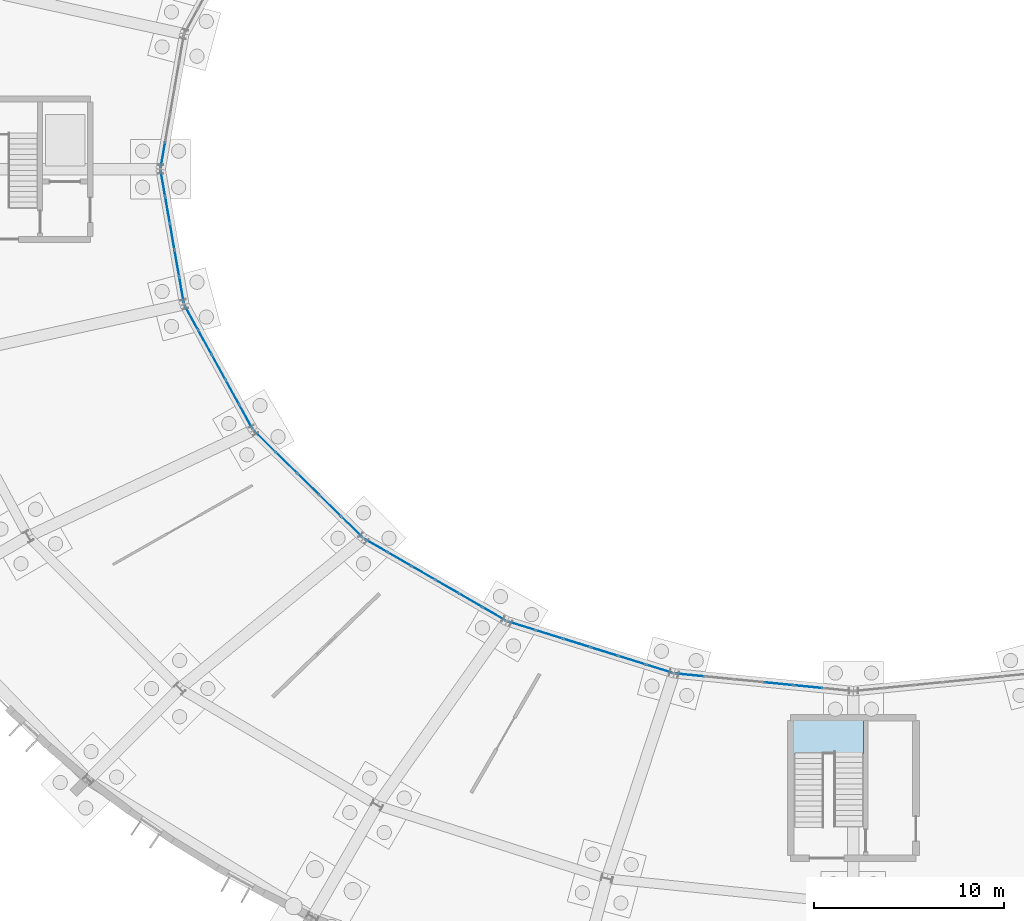
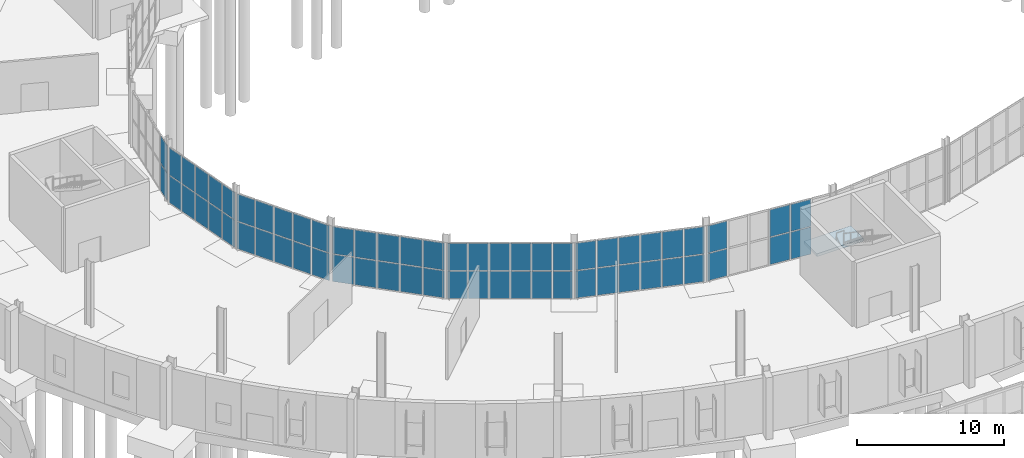
# One storey, part 72 of 118: 62 plates, 1 slab, 8 elements without a shape of their own.
"""IFC4 building model written with IfcOpenShell, lengths in metres."""

from ifc_helpers import new_model, si_unit, direction, frame, origin, origin_2d, place, context, subcontext, project, spatial, polyline, rectangle, outline, extrude, material, layer, layer_set, type_object, element, aggregate, save


model = new_model("IFC4")

# Units and contexts
model_context = context("Model", 3, precision=1e-05, world=origin(), true_north=direction((0.0, 1.0)))
body_context = subcontext(model_context, "Body", "Model", "MODEL_VIEW")
ifc_project = project(units=[si_unit("LENGTHUNIT", "METRE"), si_unit("AREAUNIT", "SQUARE_METRE"), si_unit("VOLUMEUNIT", "CUBIC_METRE"), si_unit("PLANEANGLEUNIT", "RADIAN"), si_unit("MASSUNIT", "GRAM", prefix="KILO")], contexts=[model_context])

# Site, building, storey
site_placement = place(None, origin())
site = spatial("IfcSite", under=ifc_project, at=site_placement, CompositionType="ELEMENT")
building_placement = place(site_placement, origin())
building = spatial("IfcBuilding", under=site, at=building_placement, Name="Kildeholm Park Wholesale Market", CompositionType="ELEMENT")
storey_placement = place(building_placement, origin())
storey = spatial("IfcBuildingStorey", under=building, at=storey_placement, Name="L00", CompositionType="ELEMENT", Elevation=0.0)

# Curtain wall, plates
ifc_material_1 = material(Name="Anodised aluminium and low-E double-glazed glass", Category="aluminium")
curtain_wall_type = type_object("IfcCurtainWallType", Name="Market hall glazed arcade stick curtain wall CW-01", PredefinedType="NOTDEFINED", material=ifc_material_1)
curtain_wall_1_placement = place(storey_placement, origin())
curtain_wall_1 = element("IfcCurtainWall", 1, at=curtain_wall_1_placement, inside=storey, type_object=curtain_wall_type, Name="Curtain wall CW-V1-IN0-11 CW-0056", PredefinedType="NOTDEFINED")
ifc_material_2 = material(Name="Double-glazed low-E insulated glass", Category="glass")
ifc_layer_1 = layer(ifc_material_2, 0.028076171875)
ifc_layer_set_1 = layer_set([ifc_layer_1], Name="Double-glazed low-E insulated glass")
plate_type = type_object("IfcPlateType", Name="Curtain-wall panel CWP-1 28 mm", PredefinedType="CURTAIN_PANEL", material=ifc_layer_set_1)
plate_1_placement = place(storey_placement, frame((62.625732421875, 90.260009765625, 0.06494140625), z_axis=(0.0, 0.0, 1.0), x_axis=(-0.172132515628, -0.985073802851, 0.0)))
plate_1 = element("IfcPlate", 2, at=plate_1_placement, type_object=plate_type, Name="CW-01 panel 5.1 PLT-0922", PredefinedType="CURTAIN_PANEL", context=body_context, shape_type="SweptSolid", body=[
    extrude(rectangle(XDim=1.33154296875, YDim=0.028076171875, at=origin_2d()), origin(), (0.0, 0.0, 1.0), 2.25244140625),
])
plate_2_placement = place(storey_placement, frame((62.625732421875, 90.260009765625, 2.382568359375), z_axis=(0.0, 0.0, 1.0), x_axis=(-0.172132515628, -0.985073802851, 0.0)))
plate_2 = element("IfcPlate", 3, at=plate_2_placement, type_object=plate_type, Name="CW-01 panel 5.2 PLT-0923", PredefinedType="CURTAIN_PANEL", context=body_context, shape_type="SweptSolid", body=[
    extrude(rectangle(XDim=1.33154296875, YDim=0.028076171875, at=origin_2d()), origin(), (0.0, 0.0, 1.0), 2.25244140625),
])
aggregate(curtain_wall_1, [plate_1, plate_2])

curtain_wall_2_placement = place(storey_placement, origin())
curtain_wall_2 = element("IfcCurtainWall", 4, at=curtain_wall_2_placement, inside=storey, type_object=curtain_wall_type, Name="Curtain wall CW-V1-IN0-12 CW-0061", PredefinedType="NOTDEFINED")
plate_3_placement = place(storey_placement, frame((62.625732421875, 88.739990234375, 0.06494140625), z_axis=(0.0, 0.0, 1.0), x_axis=(0.172132515628, -0.985073802851, 0.0)))
plate_3 = element("IfcPlate", 5, at=plate_3_placement, type_object=plate_type, Name="CW-01 panel 1.1 PLT-0974", PredefinedType="CURTAIN_PANEL", context=body_context, shape_type="SweptSolid", body=[
    extrude(rectangle(XDim=1.33154296875, YDim=0.028076171875, at=origin_2d()), origin(), (0.0, 0.0, 1.0), 2.25244140625),
])
plate_4_placement = place(storey_placement, frame((62.625732421875, 88.739990234375, 2.382568359375), z_axis=(0.0, 0.0, 1.0), x_axis=(0.172132515628, -0.985073802851, 0.0)))
plate_4 = element("IfcPlate", 6, at=plate_4_placement, type_object=plate_type, Name="CW-01 panel 1.2 PLT-0975", PredefinedType="CURTAIN_PANEL", context=body_context, shape_type="SweptSolid", body=[
    extrude(rectangle(XDim=1.33154296875, YDim=0.028076171875, at=origin_2d()), origin(), (0.0, 0.0, 1.0), 2.25244140625),
])
plate_5_placement = place(storey_placement, frame((62.868896484375, 87.348388671875, 0.06494140625), z_axis=(0.0, 0.0, 1.0), x_axis=(0.172132515628, -0.985073802851, 0.0)))
plate_5 = element("IfcPlate", 7, at=plate_5_placement, type_object=plate_type, Name="CW-01 panel 2.1 PLT-0976", PredefinedType="CURTAIN_PANEL", context=body_context, shape_type="SweptSolid", body=[
    extrude(rectangle(XDim=1.364013671875, YDim=0.028076171875, at=origin_2d()), origin(), (0.0, 0.0, 1.0), 2.25244140625),
])
plate_6_placement = place(storey_placement, frame((62.868896484375, 87.348388671875, 2.382568359375), z_axis=(0.0, 0.0, 1.0), x_axis=(0.172132515628, -0.985073802851, 0.0)))
plate_6 = element("IfcPlate", 8, at=plate_6_placement, type_object=plate_type, Name="CW-01 panel 2.2 PLT-0977", PredefinedType="CURTAIN_PANEL", context=body_context, shape_type="SweptSolid", body=[
    extrude(rectangle(XDim=1.364013671875, YDim=0.028076171875, at=origin_2d()), origin(), (0.0, 0.0, 1.0), 2.25244140625),
])
plate_7_placement = place(storey_placement, frame((63.114990234375, 85.9404296875, 0.06494140625), z_axis=(0.0, 0.0, 1.0), x_axis=(0.172132515628, -0.985073802851, 0.0)))
plate_7 = element("IfcPlate", 9, at=plate_7_placement, type_object=plate_type, Name="CW-01 panel 3.1 PLT-0978", PredefinedType="CURTAIN_PANEL", context=body_context, shape_type="SweptSolid", body=[
    extrude(rectangle(XDim=1.364013671875, YDim=0.028076171875, at=origin_2d()), origin(), (0.0, 0.0, 1.0), 2.25244140625),
])
plate_8_placement = place(storey_placement, frame((63.114990234375, 85.9404296875, 2.382568359375), z_axis=(0.0, 0.0, 1.0), x_axis=(0.172132515628, -0.985073802851, 0.0)))
plate_8 = element("IfcPlate", 10, at=plate_8_placement, type_object=plate_type, Name="CW-01 panel 3.2 PLT-0979", PredefinedType="CURTAIN_PANEL", context=body_context, shape_type="SweptSolid", body=[
    extrude(rectangle(XDim=1.364013671875, YDim=0.028076171875, at=origin_2d()), origin(), (0.0, 0.0, 1.0), 2.25244140625),
])
plate_9_placement = place(storey_placement, frame((63.361083984375, 84.53271484375, 0.06494140625), z_axis=(0.0, 0.0, 1.0), x_axis=(0.172132515628, -0.985073802851, 0.0)))
plate_9 = element("IfcPlate", 11, at=plate_9_placement, type_object=plate_type, Name="CW-01 panel 4.1 PLT-0980", PredefinedType="CURTAIN_PANEL", context=body_context, shape_type="SweptSolid", body=[
    extrude(rectangle(XDim=1.364013671875, YDim=0.028076171875, at=origin_2d()), origin(), (0.0, 0.0, 1.0), 2.25244140625),
])
plate_10_placement = place(storey_placement, frame((63.361083984375, 84.53271484375, 2.382568359375), z_axis=(0.0, 0.0, 1.0), x_axis=(0.172132515628, -0.985073802851, 0.0)))
plate_10 = element("IfcPlate", 12, at=plate_10_placement, type_object=plate_type, Name="CW-01 panel 4.2 PLT-0981", PredefinedType="CURTAIN_PANEL", context=body_context, shape_type="SweptSolid", body=[
    extrude(rectangle(XDim=1.364013671875, YDim=0.028076171875, at=origin_2d()), origin(), (0.0, 0.0, 1.0), 2.25244140625),
])
plate_11_placement = place(storey_placement, frame((63.604248046875, 83.140869140625, 0.06494140625), z_axis=(0.0, 0.0, 1.0), x_axis=(0.172132515628, -0.985073802851, 0.0)))
plate_11 = element("IfcPlate", 13, at=plate_11_placement, type_object=plate_type, Name="CW-01 panel 5.1 PLT-0982", PredefinedType="CURTAIN_PANEL", context=body_context, shape_type="SweptSolid", body=[
    extrude(rectangle(XDim=1.33154296875, YDim=0.028076171875, at=origin_2d()), origin(), (0.0, 0.0, 1.0), 2.25244140625),
])
plate_12_placement = place(storey_placement, frame((63.604248046875, 83.140869140625, 2.382568359375), z_axis=(0.0, 0.0, 1.0), x_axis=(0.172132515628, -0.985073802851, 0.0)))
plate_12 = element("IfcPlate", 14, at=plate_12_placement, type_object=plate_type, Name="CW-01 panel 5.2 PLT-0983", PredefinedType="CURTAIN_PANEL", context=body_context, shape_type="SweptSolid", body=[
    extrude(rectangle(XDim=1.33154296875, YDim=0.028076171875, at=origin_2d()), origin(), (0.0, 0.0, 1.0), 2.25244140625),
])
aggregate(curtain_wall_2, [plate_3, plate_4, plate_5, plate_6, plate_7, plate_8, plate_9, plate_10, plate_11, plate_12])

curtain_wall_3_placement = place(storey_placement, origin())
curtain_wall_3 = element("IfcCurtainWall", 15, at=curtain_wall_3_placement, inside=storey, type_object=curtain_wall_type, Name="Curtain wall CW-V1-IN0-13 CW-0066", PredefinedType="NOTDEFINED")
plate_13_placement = place(storey_placement, frame((64.125732421875, 81.675537109375, 0.06494140625), z_axis=(0.0, 0.0, 1.0), x_axis=(0.481749595055, -0.876308922506, 0.0)))
plate_13 = element("IfcPlate", 16, at=plate_13_placement, type_object=plate_type, Name="CW-01 panel 1.1 PLT-1034", PredefinedType="CURTAIN_PANEL", context=body_context, shape_type="SweptSolid", body=[
    extrude(rectangle(XDim=1.400390625, YDim=0.028076171875, at=origin_2d()), origin(), (0.0, 0.0, 1.0), 2.25244140625),
])
plate_14_placement = place(storey_placement, frame((64.125732421875, 81.675537109375, 2.382568359375), z_axis=(0.0, 0.0, 1.0), x_axis=(0.481749595055, -0.876308922506, 0.0)))
plate_14 = element("IfcPlate", 17, at=plate_14_placement, type_object=plate_type, Name="CW-01 panel 1.2 PLT-1035", PredefinedType="CURTAIN_PANEL", context=body_context, shape_type="SweptSolid", body=[
    extrude(rectangle(XDim=1.400390625, YDim=0.028076171875, at=origin_2d()), origin(), (0.0, 0.0, 1.0), 2.25244140625),
])
plate_15_placement = place(storey_placement, frame((64.83935546875, 80.377197265625, 0.06494140625), z_axis=(0.0, 0.0, 1.0), x_axis=(0.481749595055, -0.876308922506, 0.0)))
plate_15 = element("IfcPlate", 18, at=plate_15_placement, type_object=plate_type, Name="CW-01 panel 2.1 PLT-1036", PredefinedType="CURTAIN_PANEL", context=body_context, shape_type="SweptSolid", body=[
    extrude(rectangle(XDim=1.432861328125, YDim=0.028076171875, at=origin_2d()), origin(), (0.0, 0.0, 1.0), 2.25244140625),
])
plate_16_placement = place(storey_placement, frame((64.83935546875, 80.377197265625, 2.382568359375), z_axis=(0.0, 0.0, 1.0), x_axis=(0.481749595055, -0.876308922506, 0.0)))
plate_16 = element("IfcPlate", 19, at=plate_16_placement, type_object=plate_type, Name="CW-01 panel 2.2 PLT-1037", PredefinedType="CURTAIN_PANEL", context=body_context, shape_type="SweptSolid", body=[
    extrude(rectangle(XDim=1.432861328125, YDim=0.028076171875, at=origin_2d()), origin(), (0.0, 0.0, 1.0), 2.25244140625),
])
plate_17_placement = place(storey_placement, frame((65.56103515625, 79.064453125, 0.06494140625), z_axis=(0.0, 0.0, 1.0), x_axis=(0.481749595055, -0.876308922506, 0.0)))
plate_17 = element("IfcPlate", 20, at=plate_17_placement, type_object=plate_type, Name="CW-01 panel 3.1 PLT-1038", PredefinedType="CURTAIN_PANEL", context=body_context, shape_type="SweptSolid", body=[
    extrude(rectangle(XDim=1.432861328125, YDim=0.028076171875, at=origin_2d()), origin(), (0.0, 0.0, 1.0), 2.25244140625),
])
plate_18_placement = place(storey_placement, frame((65.56103515625, 79.064453125, 2.382568359375), z_axis=(0.0, 0.0, 1.0), x_axis=(0.481749595055, -0.876308922506, 0.0)))
plate_18 = element("IfcPlate", 21, at=plate_18_placement, type_object=plate_type, Name="CW-01 panel 3.2 PLT-1039", PredefinedType="CURTAIN_PANEL", context=body_context, shape_type="SweptSolid", body=[
    extrude(rectangle(XDim=1.432861328125, YDim=0.028076171875, at=origin_2d()), origin(), (0.0, 0.0, 1.0), 2.25244140625),
])
plate_19_placement = place(storey_placement, frame((66.28271484375, 77.751953125, 0.06494140625), z_axis=(0.0, 0.0, 1.0), x_axis=(0.481749595055, -0.876308922506, 0.0)))
plate_19 = element("IfcPlate", 22, at=plate_19_placement, type_object=plate_type, Name="CW-01 panel 4.1 PLT-1040", PredefinedType="CURTAIN_PANEL", context=body_context, shape_type="SweptSolid", body=[
    extrude(rectangle(XDim=1.432861328125, YDim=0.028076171875, at=origin_2d()), origin(), (0.0, 0.0, 1.0), 2.25244140625),
])
plate_20_placement = place(storey_placement, frame((66.28271484375, 77.751953125, 2.382568359375), z_axis=(0.0, 0.0, 1.0), x_axis=(0.481749595055, -0.876308922506, 0.0)))
plate_20 = element("IfcPlate", 23, at=plate_20_placement, type_object=plate_type, Name="CW-01 panel 4.2 PLT-1041", PredefinedType="CURTAIN_PANEL", context=body_context, shape_type="SweptSolid", body=[
    extrude(rectangle(XDim=1.432861328125, YDim=0.028076171875, at=origin_2d()), origin(), (0.0, 0.0, 1.0), 2.25244140625),
])
plate_21_placement = place(storey_placement, frame((66.996337890625, 76.45361328125, 0.06494140625), z_axis=(0.0, 0.0, 1.0), x_axis=(0.481749595055, -0.876308922506, 0.0)))
plate_21 = element("IfcPlate", 24, at=plate_21_placement, type_object=plate_type, Name="CW-01 panel 5.1 PLT-1042", PredefinedType="CURTAIN_PANEL", context=body_context, shape_type="SweptSolid", body=[
    extrude(rectangle(XDim=1.400390625, YDim=0.028076171875, at=origin_2d()), origin(), (0.0, 0.0, 1.0), 2.25244140625),
])
plate_22_placement = place(storey_placement, frame((66.996337890625, 76.45361328125, 2.382568359375), z_axis=(0.0, 0.0, 1.0), x_axis=(0.481749595055, -0.876308922506, 0.0)))
plate_22 = element("IfcPlate", 25, at=plate_22_placement, type_object=plate_type, Name="CW-01 panel 5.2 PLT-1043", PredefinedType="CURTAIN_PANEL", context=body_context, shape_type="SweptSolid", body=[
    extrude(rectangle(XDim=1.400390625, YDim=0.028076171875, at=origin_2d()), origin(), (0.0, 0.0, 1.0), 2.25244140625),
])
aggregate(curtain_wall_3, [plate_13, plate_14, plate_15, plate_16, plate_17, plate_18, plate_19, plate_20, plate_21, plate_22])

curtain_wall_4_placement = place(storey_placement, origin())
curtain_wall_4 = element("IfcCurtainWall", 26, at=curtain_wall_4_placement, inside=storey, type_object=curtain_wall_type, Name="Curtain wall CW-V1-IN0-14 CW-0071", PredefinedType="NOTDEFINED")
plate_23_placement = place(storey_placement, frame((68.0, 75.143798828125, 0.06494140625), z_axis=(0.0, 0.0, 1.0), x_axis=(0.713537995789, -0.700616534607, 0.0)))
plate_23 = element("IfcPlate", 27, at=plate_23_placement, type_object=plate_type, Name="CW-01 panel 1.1 PLT-1096", PredefinedType="CURTAIN_PANEL", context=body_context, shape_type="SweptSolid", body=[
    extrude(rectangle(XDim=1.51220703125, YDim=0.028076171875, at=origin_2d()), origin(), (0.0, 0.0, 1.0), 2.25244140625),
])
plate_24_placement = place(storey_placement, frame((68.0, 75.143798828125, 2.382568359375), z_axis=(0.0, 0.0, 1.0), x_axis=(0.713537995789, -0.700616534607, 0.0)))
plate_24 = element("IfcPlate", 28, at=plate_24_placement, type_object=plate_type, Name="CW-01 panel 1.2 PLT-1097", PredefinedType="CURTAIN_PANEL", context=body_context, shape_type="SweptSolid", body=[
    extrude(rectangle(XDim=1.51220703125, YDim=0.028076171875, at=origin_2d()), origin(), (0.0, 0.0, 1.0), 2.25244140625),
])
plate_25_placement = place(storey_placement, frame((69.136962890625, 74.02734375, 0.06494140625), z_axis=(0.0, 0.0, 1.0), x_axis=(0.713537995789, -0.700616534607, 0.0)))
plate_25 = element("IfcPlate", 29, at=plate_25_placement, type_object=plate_type, Name="CW-01 panel 2.1 PLT-1098", PredefinedType="CURTAIN_PANEL", context=body_context, shape_type="SweptSolid", body=[
    extrude(rectangle(XDim=1.544677734375, YDim=0.028076171875, at=origin_2d()), origin(), (0.0, 0.0, 1.0), 2.25244140625),
])
plate_26_placement = place(storey_placement, frame((69.136962890625, 74.02734375, 2.382568359375), z_axis=(0.0, 0.0, 1.0), x_axis=(0.713537995789, -0.700616534607, 0.0)))
plate_26 = element("IfcPlate", 30, at=plate_26_placement, type_object=plate_type, Name="CW-01 panel 2.2 PLT-1099", PredefinedType="CURTAIN_PANEL", context=body_context, shape_type="SweptSolid", body=[
    extrude(rectangle(XDim=1.544677734375, YDim=0.028076171875, at=origin_2d()), origin(), (0.0, 0.0, 1.0), 2.25244140625),
])
plate_27_placement = place(storey_placement, frame((70.285400390625, 72.8994140625, 0.06494140625), z_axis=(0.0, 0.0, 1.0), x_axis=(0.713537995789, -0.700616534607, 0.0)))
plate_27 = element("IfcPlate", 31, at=plate_27_placement, type_object=plate_type, Name="CW-01 panel 3.1 PLT-1100", PredefinedType="CURTAIN_PANEL", context=body_context, shape_type="SweptSolid", body=[
    extrude(rectangle(XDim=1.544677734375, YDim=0.028076171875, at=origin_2d()), origin(), (0.0, 0.0, 1.0), 2.25244140625),
])
plate_28_placement = place(storey_placement, frame((70.285400390625, 72.8994140625, 2.382568359375), z_axis=(0.0, 0.0, 1.0), x_axis=(0.713537995789, -0.700616534607, 0.0)))
plate_28 = element("IfcPlate", 32, at=plate_28_placement, type_object=plate_type, Name="CW-01 panel 3.2 PLT-1101", PredefinedType="CURTAIN_PANEL", context=body_context, shape_type="SweptSolid", body=[
    extrude(rectangle(XDim=1.544677734375, YDim=0.028076171875, at=origin_2d()), origin(), (0.0, 0.0, 1.0), 2.25244140625),
])
plate_29_placement = place(storey_placement, frame((71.43408203125, 71.771728515625, 0.06494140625), z_axis=(0.0, 0.0, 1.0), x_axis=(0.713537995789, -0.700616534607, 0.0)))
plate_29 = element("IfcPlate", 33, at=plate_29_placement, type_object=plate_type, Name="CW-01 panel 4.1 PLT-1102", PredefinedType="CURTAIN_PANEL", context=body_context, shape_type="SweptSolid", body=[
    extrude(rectangle(XDim=1.544677734375, YDim=0.028076171875, at=origin_2d()), origin(), (0.0, 0.0, 1.0), 2.25244140625),
])
plate_30_placement = place(storey_placement, frame((71.43408203125, 71.771728515625, 2.382568359375), z_axis=(0.0, 0.0, 1.0), x_axis=(0.713537995789, -0.700616534607, 0.0)))
plate_30 = element("IfcPlate", 34, at=plate_30_placement, type_object=plate_type, Name="CW-01 panel 4.2 PLT-1103", PredefinedType="CURTAIN_PANEL", context=body_context, shape_type="SweptSolid", body=[
    extrude(rectangle(XDim=1.544677734375, YDim=0.028076171875, at=origin_2d()), origin(), (0.0, 0.0, 1.0), 2.25244140625),
])
plate_31_placement = place(storey_placement, frame((72.571044921875, 70.6552734375, 0.06494140625), z_axis=(0.0, 0.0, 1.0), x_axis=(0.713537995789, -0.700616534607, 0.0)))
plate_31 = element("IfcPlate", 35, at=plate_31_placement, type_object=plate_type, Name="CW-01 panel 5.1 PLT-1104", PredefinedType="CURTAIN_PANEL", context=body_context, shape_type="SweptSolid", body=[
    extrude(rectangle(XDim=1.51220703125, YDim=0.028076171875, at=origin_2d()), origin(), (0.0, 0.0, 1.0), 2.25244140625),
])
plate_32_placement = place(storey_placement, frame((72.571044921875, 70.6552734375, 2.382568359375), z_axis=(0.0, 0.0, 1.0), x_axis=(0.713537995789, -0.700616534607, 0.0)))
plate_32 = element("IfcPlate", 36, at=plate_32_placement, type_object=plate_type, Name="CW-01 panel 5.2 PLT-1105", PredefinedType="CURTAIN_PANEL", context=body_context, shape_type="SweptSolid", body=[
    extrude(rectangle(XDim=1.51220703125, YDim=0.028076171875, at=origin_2d()), origin(), (0.0, 0.0, 1.0), 2.25244140625),
])
aggregate(curtain_wall_4, [plate_23, plate_24, plate_25, plate_26, plate_27, plate_28, plate_29, plate_30, plate_31, plate_32])

curtain_wall_5_placement = place(storey_placement, origin())
curtain_wall_5 = element("IfcCurtainWall", 37, at=curtain_wall_5_placement, inside=storey, type_object=curtain_wall_type, Name="Curtain wall CW-V1-IN0-15 CW-0076", PredefinedType="NOTDEFINED")
plate_33_placement = place(storey_placement, frame((73.8603515625, 69.662109375, 0.06494140625), z_axis=(0.0, 0.0, 1.0), x_axis=(0.865742656621, -0.500489412982, 0.0)))
plate_33 = element("IfcPlate", 38, at=plate_33_placement, type_object=plate_type, Name="CW-01 panel 1.1 PLT-1160", PredefinedType="CURTAIN_PANEL", context=body_context, shape_type="SweptSolid", body=[
    extrude(rectangle(XDim=1.344482421875, YDim=0.028076171875, at=origin_2d()), origin(), (0.0, 0.0, 1.0), 2.25244140625),
])
plate_34_placement = place(storey_placement, frame((73.8603515625, 69.662109375, 2.382568359375), z_axis=(0.0, 0.0, 1.0), x_axis=(0.865742656621, -0.500489412982, 0.0)))
plate_34 = element("IfcPlate", 39, at=plate_34_placement, type_object=plate_type, Name="CW-01 panel 1.2 PLT-1161", PredefinedType="CURTAIN_PANEL", context=body_context, shape_type="SweptSolid", body=[
    extrude(rectangle(XDim=1.344482421875, YDim=0.028076171875, at=origin_2d()), origin(), (0.0, 0.0, 1.0), 2.25244140625),
])
plate_35_placement = place(storey_placement, frame((75.094482421875, 68.948486328125, 0.06494140625), z_axis=(0.0, 0.0, 1.0), x_axis=(0.865742656621, -0.500489412982, 0.0)))
plate_35 = element("IfcPlate", 40, at=plate_35_placement, type_object=plate_type, Name="CW-01 panel 2.1 PLT-1162", PredefinedType="CURTAIN_PANEL", context=body_context, shape_type="SweptSolid", body=[
    extrude(rectangle(XDim=1.376953125, YDim=0.028076171875, at=origin_2d()), origin(), (0.0, 0.0, 1.0), 2.25244140625),
])
plate_36_placement = place(storey_placement, frame((75.094482421875, 68.948486328125, 2.382568359375), z_axis=(0.0, 0.0, 1.0), x_axis=(0.865742656621, -0.500489412982, 0.0)))
plate_36 = element("IfcPlate", 41, at=plate_36_placement, type_object=plate_type, Name="CW-01 panel 2.2 PLT-1163", PredefinedType="CURTAIN_PANEL", context=body_context, shape_type="SweptSolid", body=[
    extrude(rectangle(XDim=1.376953125, YDim=0.028076171875, at=origin_2d()), origin(), (0.0, 0.0, 1.0), 2.25244140625),
])
plate_37_placement = place(storey_placement, frame((76.3427734375, 68.226806640625, 0.06494140625), z_axis=(0.0, 0.0, 1.0), x_axis=(0.865742656621, -0.500489412982, 0.0)))
plate_37 = element("IfcPlate", 42, at=plate_37_placement, type_object=plate_type, Name="CW-01 panel 3.1 PLT-1164", PredefinedType="CURTAIN_PANEL", context=body_context, shape_type="SweptSolid", body=[
    extrude(rectangle(XDim=1.376953125, YDim=0.028076171875, at=origin_2d()), origin(), (0.0, 0.0, 1.0), 2.25244140625),
])
plate_38_placement = place(storey_placement, frame((76.3427734375, 68.226806640625, 2.382568359375), z_axis=(0.0, 0.0, 1.0), x_axis=(0.865742656621, -0.500489412982, 0.0)))
plate_38 = element("IfcPlate", 43, at=plate_38_placement, type_object=plate_type, Name="CW-01 panel 3.2 PLT-1165", PredefinedType="CURTAIN_PANEL", context=body_context, shape_type="SweptSolid", body=[
    extrude(rectangle(XDim=1.376953125, YDim=0.028076171875, at=origin_2d()), origin(), (0.0, 0.0, 1.0), 2.25244140625),
])
plate_39_placement = place(storey_placement, frame((77.591064453125, 67.505126953125, 0.06494140625), z_axis=(0.0, 0.0, 1.0), x_axis=(0.865742656621, -0.500489412982, 0.0)))
plate_39 = element("IfcPlate", 44, at=plate_39_placement, type_object=plate_type, Name="CW-01 panel 4.1 PLT-1166", PredefinedType="CURTAIN_PANEL", context=body_context, shape_type="SweptSolid", body=[
    extrude(rectangle(XDim=1.376953125, YDim=0.028076171875, at=origin_2d()), origin(), (0.0, 0.0, 1.0), 2.25244140625),
])
plate_40_placement = place(storey_placement, frame((77.591064453125, 67.505126953125, 2.382568359375), z_axis=(0.0, 0.0, 1.0), x_axis=(0.865742656621, -0.500489412982, 0.0)))
plate_40 = element("IfcPlate", 45, at=plate_40_placement, type_object=plate_type, Name="CW-01 panel 4.2 PLT-1167", PredefinedType="CURTAIN_PANEL", context=body_context, shape_type="SweptSolid", body=[
    extrude(rectangle(XDim=1.376953125, YDim=0.028076171875, at=origin_2d()), origin(), (0.0, 0.0, 1.0), 2.25244140625),
])
plate_41_placement = place(storey_placement, frame((78.839599609375, 66.783447265625, 0.06494140625), z_axis=(0.0, 0.0, 1.0), x_axis=(0.865742656621, -0.500489412982, 0.0)))
plate_41 = element("IfcPlate", 46, at=plate_41_placement, type_object=plate_type, Name="CW-01 panel 5.1 PLT-1168", PredefinedType="CURTAIN_PANEL", context=body_context, shape_type="SweptSolid", body=[
    extrude(rectangle(XDim=1.376953125, YDim=0.028076171875, at=origin_2d()), origin(), (0.0, 0.0, 1.0), 2.25244140625),
])
plate_42_placement = place(storey_placement, frame((78.839599609375, 66.783447265625, 2.382568359375), z_axis=(0.0, 0.0, 1.0), x_axis=(0.865742656621, -0.500489412982, 0.0)))
plate_42 = element("IfcPlate", 47, at=plate_42_placement, type_object=plate_type, Name="CW-01 panel 5.2 PLT-1169", PredefinedType="CURTAIN_PANEL", context=body_context, shape_type="SweptSolid", body=[
    extrude(rectangle(XDim=1.376953125, YDim=0.028076171875, at=origin_2d()), origin(), (0.0, 0.0, 1.0), 2.25244140625),
])
plate_43_placement = place(storey_placement, frame((80.07373046875, 66.070068359375, 0.06494140625), z_axis=(0.0, 0.0, 1.0), x_axis=(0.865742656621, -0.500489412982, 0.0)))
plate_43 = element("IfcPlate", 48, at=plate_43_placement, type_object=plate_type, Name="CW-01 panel 6.1 PLT-1170", PredefinedType="CURTAIN_PANEL", context=body_context, shape_type="SweptSolid", body=[
    extrude(rectangle(XDim=1.344482421875, YDim=0.028076171875, at=origin_2d()), origin(), (0.0, 0.0, 1.0), 2.25244140625),
])
plate_44_placement = place(storey_placement, frame((80.07373046875, 66.070068359375, 2.382568359375), z_axis=(0.0, 0.0, 1.0), x_axis=(0.865742656621, -0.500489412982, 0.0)))
plate_44 = element("IfcPlate", 49, at=plate_44_placement, type_object=plate_type, Name="CW-01 panel 6.2 PLT-1171", PredefinedType="CURTAIN_PANEL", context=body_context, shape_type="SweptSolid", body=[
    extrude(rectangle(XDim=1.344482421875, YDim=0.028076171875, at=origin_2d()), origin(), (0.0, 0.0, 1.0), 2.25244140625),
])
aggregate(curtain_wall_5, [plate_33, plate_34, plate_35, plate_36, plate_37, plate_38, plate_39, plate_40, plate_41, plate_42, plate_43, plate_44])

curtain_wall_6_placement = place(storey_placement, origin())
curtain_wall_6 = element("IfcCurtainWall", 50, at=curtain_wall_6_placement, inside=storey, type_object=curtain_wall_type, Name="Curtain wall CW-V1-IN0-16 CW-0081", PredefinedType="NOTDEFINED")
plate_45_placement = place(storey_placement, frame((81.52880859375, 65.437255859375, 0.06494140625), z_axis=(0.0, 0.0, 1.0), x_axis=(0.954579186683, -0.297957339818, 0.0)))
plate_45 = element("IfcPlate", 51, at=plate_45_placement, type_object=plate_type, Name="CW-01 panel 1.1 PLT-1232", PredefinedType="CURTAIN_PANEL", context=body_context, shape_type="SweptSolid", body=[
    extrude(rectangle(XDim=1.42626953125, YDim=0.028076171875, at=origin_2d()), origin(), (0.0, 0.0, 1.0), 2.25244140625),
])
plate_46_placement = place(storey_placement, frame((81.52880859375, 65.437255859375, 2.382568359375), z_axis=(0.0, 0.0, 1.0), x_axis=(0.954579186683, -0.297957339818, 0.0)))
plate_46 = element("IfcPlate", 52, at=plate_46_placement, type_object=plate_type, Name="CW-01 panel 1.2 PLT-1233", PredefinedType="CURTAIN_PANEL", context=body_context, shape_type="SweptSolid", body=[
    extrude(rectangle(XDim=1.42626953125, YDim=0.028076171875, at=origin_2d()), origin(), (0.0, 0.0, 1.0), 2.25244140625),
])
plate_47_placement = place(storey_placement, frame((82.9677734375, 64.988037109375, 0.06494140625), z_axis=(0.0, 0.0, 1.0), x_axis=(0.954579186683, -0.297957339818, 0.0)))
plate_47 = element("IfcPlate", 53, at=plate_47_placement, type_object=plate_type, Name="CW-01 panel 2.1 PLT-1234", PredefinedType="CURTAIN_PANEL", context=body_context, shape_type="SweptSolid", body=[
    extrude(rectangle(XDim=1.458740234375, YDim=0.028076171875, at=origin_2d()), origin(), (0.0, 0.0, 1.0), 2.25244140625),
])
plate_48_placement = place(storey_placement, frame((82.9677734375, 64.988037109375, 2.382568359375), z_axis=(0.0, 0.0, 1.0), x_axis=(0.954579186683, -0.297957339818, 0.0)))
plate_48 = element("IfcPlate", 54, at=plate_48_placement, type_object=plate_type, Name="CW-01 panel 2.2 PLT-1235", PredefinedType="CURTAIN_PANEL", context=body_context, shape_type="SweptSolid", body=[
    extrude(rectangle(XDim=1.458740234375, YDim=0.028076171875, at=origin_2d()), origin(), (0.0, 0.0, 1.0), 2.25244140625),
])
plate_49_placement = place(storey_placement, frame((84.42236328125, 64.533935546875, 0.06494140625), z_axis=(0.0, 0.0, 1.0), x_axis=(0.954579186683, -0.297957339818, 0.0)))
plate_49 = element("IfcPlate", 55, at=plate_49_placement, type_object=plate_type, Name="CW-01 panel 3.1 PLT-1236", PredefinedType="CURTAIN_PANEL", context=body_context, shape_type="SweptSolid", body=[
    extrude(rectangle(XDim=1.458740234375, YDim=0.028076171875, at=origin_2d()), origin(), (0.0, 0.0, 1.0), 2.25244140625),
])
plate_50_placement = place(storey_placement, frame((84.42236328125, 64.533935546875, 2.382568359375), z_axis=(0.0, 0.0, 1.0), x_axis=(0.954579186683, -0.297957339818, 0.0)))
plate_50 = element("IfcPlate", 56, at=plate_50_placement, type_object=plate_type, Name="CW-01 panel 3.2 PLT-1237", PredefinedType="CURTAIN_PANEL", context=body_context, shape_type="SweptSolid", body=[
    extrude(rectangle(XDim=1.458740234375, YDim=0.028076171875, at=origin_2d()), origin(), (0.0, 0.0, 1.0), 2.25244140625),
])
plate_51_placement = place(storey_placement, frame((85.876708984375, 64.080078125, 0.06494140625), z_axis=(0.0, 0.0, 1.0), x_axis=(0.954579186683, -0.297957339818, 0.0)))
plate_51 = element("IfcPlate", 57, at=plate_51_placement, type_object=plate_type, Name="CW-01 panel 4.1 PLT-1238", PredefinedType="CURTAIN_PANEL", context=body_context, shape_type="SweptSolid", body=[
    extrude(rectangle(XDim=1.458740234375, YDim=0.028076171875, at=origin_2d()), origin(), (0.0, 0.0, 1.0), 2.25244140625),
])
plate_52_placement = place(storey_placement, frame((85.876708984375, 64.080078125, 2.382568359375), z_axis=(0.0, 0.0, 1.0), x_axis=(0.954579186683, -0.297957339818, 0.0)))
plate_52 = element("IfcPlate", 58, at=plate_52_placement, type_object=plate_type, Name="CW-01 panel 4.2 PLT-1239", PredefinedType="CURTAIN_PANEL", context=body_context, shape_type="SweptSolid", body=[
    extrude(rectangle(XDim=1.458740234375, YDim=0.028076171875, at=origin_2d()), origin(), (0.0, 0.0, 1.0), 2.25244140625),
])
plate_53_placement = place(storey_placement, frame((87.331298828125, 63.6259765625, 0.06494140625), z_axis=(0.0, 0.0, 1.0), x_axis=(0.954579186683, -0.297957339818, 0.0)))
plate_53 = element("IfcPlate", 59, at=plate_53_placement, type_object=plate_type, Name="CW-01 panel 5.1 PLT-1240", PredefinedType="CURTAIN_PANEL", context=body_context, shape_type="SweptSolid", body=[
    extrude(rectangle(XDim=1.458740234375, YDim=0.028076171875, at=origin_2d()), origin(), (0.0, 0.0, 1.0), 2.25244140625),
])
plate_54_placement = place(storey_placement, frame((87.331298828125, 63.6259765625, 2.382568359375), z_axis=(0.0, 0.0, 1.0), x_axis=(0.954579186683, -0.297957339818, 0.0)))
plate_54 = element("IfcPlate", 60, at=plate_54_placement, type_object=plate_type, Name="CW-01 panel 5.2 PLT-1241", PredefinedType="CURTAIN_PANEL", context=body_context, shape_type="SweptSolid", body=[
    extrude(rectangle(XDim=1.458740234375, YDim=0.028076171875, at=origin_2d()), origin(), (0.0, 0.0, 1.0), 2.25244140625),
])
plate_55_placement = place(storey_placement, frame((88.770263671875, 63.1767578125, 0.06494140625), z_axis=(0.0, 0.0, 1.0), x_axis=(0.954579186683, -0.297957339818, 0.0)))
plate_55 = element("IfcPlate", 61, at=plate_55_placement, type_object=plate_type, Name="CW-01 panel 6.1 PLT-1242", PredefinedType="CURTAIN_PANEL", context=body_context, shape_type="SweptSolid", body=[
    extrude(rectangle(XDim=1.42626953125, YDim=0.028076171875, at=origin_2d()), origin(), (0.0, 0.0, 1.0), 2.25244140625),
])
plate_56_placement = place(storey_placement, frame((88.770263671875, 63.1767578125, 2.382568359375), z_axis=(0.0, 0.0, 1.0), x_axis=(0.954579186683, -0.297957339818, 0.0)))
plate_56 = element("IfcPlate", 62, at=plate_56_placement, type_object=plate_type, Name="CW-01 panel 6.2 PLT-1243", PredefinedType="CURTAIN_PANEL", context=body_context, shape_type="SweptSolid", body=[
    extrude(rectangle(XDim=1.42626953125, YDim=0.028076171875, at=origin_2d()), origin(), (0.0, 0.0, 1.0), 2.25244140625),
])
aggregate(curtain_wall_6, [plate_45, plate_46, plate_47, plate_48, plate_49, plate_50, plate_51, plate_52, plate_53, plate_54, plate_55, plate_56])

curtain_wall_7_placement = place(storey_placement, origin())
curtain_wall_7 = element("IfcCurtainWall", 63, at=curtain_wall_7_placement, inside=storey, type_object=curtain_wall_type, Name="Curtain wall CW-V1-IN0-17 CW-0086", PredefinedType="NOTDEFINED")
plate_57_placement = place(storey_placement, frame((90.388916015625, 62.85009765625, 0.06494140625), z_axis=(0.0, 0.0, 1.0), x_axis=(0.995118887444, -0.098683331174, 0.0)))
plate_57 = element("IfcPlate", 64, at=plate_57_placement, type_object=plate_type, Name="CW-01 panel 1.1 PLT-1306", PredefinedType="CURTAIN_PANEL", context=body_context, shape_type="SweptSolid", body=[
    extrude(rectangle(XDim=1.471435546875, YDim=0.028076171875, at=origin_2d()), origin(), (0.0, 0.0, 1.0), 2.25244140625),
])
plate_58_placement = place(storey_placement, frame((90.388916015625, 62.85009765625, 2.382568359375), z_axis=(0.0, 0.0, 1.0), x_axis=(0.995118887444, -0.098683331174, 0.0)))
plate_58 = element("IfcPlate", 65, at=plate_58_placement, type_object=plate_type, Name="CW-01 panel 1.2 PLT-1307", PredefinedType="CURTAIN_PANEL", context=body_context, shape_type="SweptSolid", body=[
    extrude(rectangle(XDim=1.471435546875, YDim=0.028076171875, at=origin_2d()), origin(), (0.0, 0.0, 1.0), 2.25244140625),
])
plate_59_placement = place(storey_placement, frame((95.056640625, 62.386962890625, 0.06494140625), z_axis=(0.0, 0.0, 1.0), x_axis=(0.995118887444, -0.098683331174, 0.0)))
plate_59 = element("IfcPlate", 66, at=plate_59_placement, type_object=plate_type, Name="CW-01 panel 4.1 PLT-1312", PredefinedType="CURTAIN_PANEL", context=body_context, shape_type="SweptSolid", body=[
    extrude(rectangle(XDim=1.50390625, YDim=0.028076171875, at=origin_2d()), origin(), (0.0, 0.0, 1.0), 2.25244140625),
])
plate_60_placement = place(storey_placement, frame((95.056640625, 62.386962890625, 2.382568359375), z_axis=(0.0, 0.0, 1.0), x_axis=(0.995118887444, -0.098683331174, 0.0)))
plate_60 = element("IfcPlate", 67, at=plate_60_placement, type_object=plate_type, Name="CW-01 panel 4.2 PLT-1313", PredefinedType="CURTAIN_PANEL", context=body_context, shape_type="SweptSolid", body=[
    extrude(rectangle(XDim=1.50390625, YDim=0.028076171875, at=origin_2d()), origin(), (0.0, 0.0, 1.0), 2.25244140625),
])
plate_61_placement = place(storey_placement, frame((96.617919921875, 62.232177734375, 0.06494140625), z_axis=(0.0, 0.0, 1.0), x_axis=(0.995118887444, -0.098683331174, 0.0)))
plate_61 = element("IfcPlate", 68, at=plate_61_placement, type_object=plate_type, Name="CW-01 panel 5.1 PLT-1314", PredefinedType="CURTAIN_PANEL", context=body_context, shape_type="SweptSolid", body=[
    extrude(rectangle(XDim=1.50390625, YDim=0.028076171875, at=origin_2d()), origin(), (0.0, 0.0, 1.0), 2.25244140625),
])
plate_62_placement = place(storey_placement, frame((96.617919921875, 62.232177734375, 2.382568359375), z_axis=(0.0, 0.0, 1.0), x_axis=(0.995118887444, -0.098683331174, 0.0)))
plate_62 = element("IfcPlate", 69, at=plate_62_placement, type_object=plate_type, Name="CW-01 panel 5.2 PLT-1315", PredefinedType="CURTAIN_PANEL", context=body_context, shape_type="SweptSolid", body=[
    extrude(rectangle(XDim=1.50390625, YDim=0.028076171875, at=origin_2d()), origin(), (0.0, 0.0, 1.0), 2.25244140625),
])
aggregate(curtain_wall_7, [plate_57, plate_58, plate_59, plate_60, plate_61, plate_62])

# Stair, slab
ifc_material_3 = material(Name="Concrete C35/45", Category="concrete")
stair_type = type_object("IfcStairType", Name="Protected core escape stair ST-CR1", PredefinedType="HALF_TURN_STAIR", material=ifc_material_3)
stair_placement = place(storey_placement, origin())
stair = element("IfcStair", 70, at=stair_placement, inside=storey, type_object=stair_type, Name="Escape stair C10 L00 STR-0024", PredefinedType="HALF_TURN_STAIR")
ifc_layer_2 = layer(ifc_material_3, 0.239990234375)
ifc_layer_set_2 = layer_set([ifc_layer_2], Name="Concrete C35/45")
slab_type = type_object("IfcSlabType", Name="Stair landing slab S-LD1 240 mm", PredefinedType="LANDING", material=ifc_layer_set_2)
slab_placement = place(storey_placement, frame((0.0, 0.0, 2.4599609375)))
slab = element("IfcSlab", 71, at=slab_placement, type_object=slab_type, Name="ST-10-00 landing 1 SLB-0457", PredefinedType="LANDING", context=body_context, shape_type="SweptSolid", body=[
    extrude(outline(polyline([(95.85009765625, 58.699951171875), (99.530029296875, 58.719970703125), (99.530029296875, 60.449951171875), (95.85009765625, 60.449951171875), (95.85009765625, 58.699951171875)])), origin(), (0.0, 0.0, 1.0), 0.239990234375),
])
aggregate(stair, [slab])

save(model, "model.ifc")
